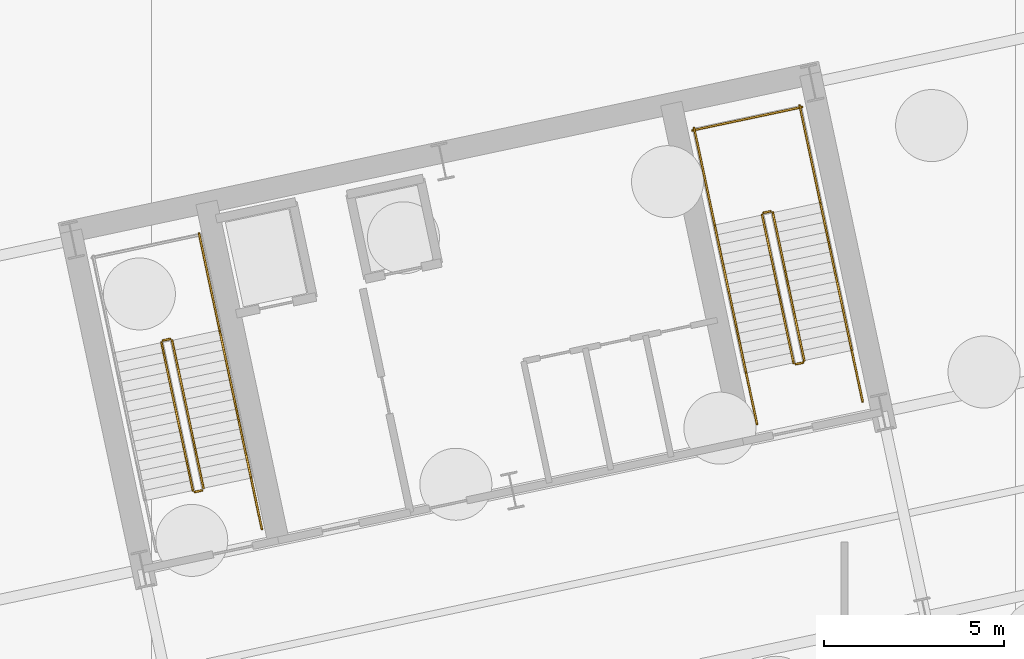
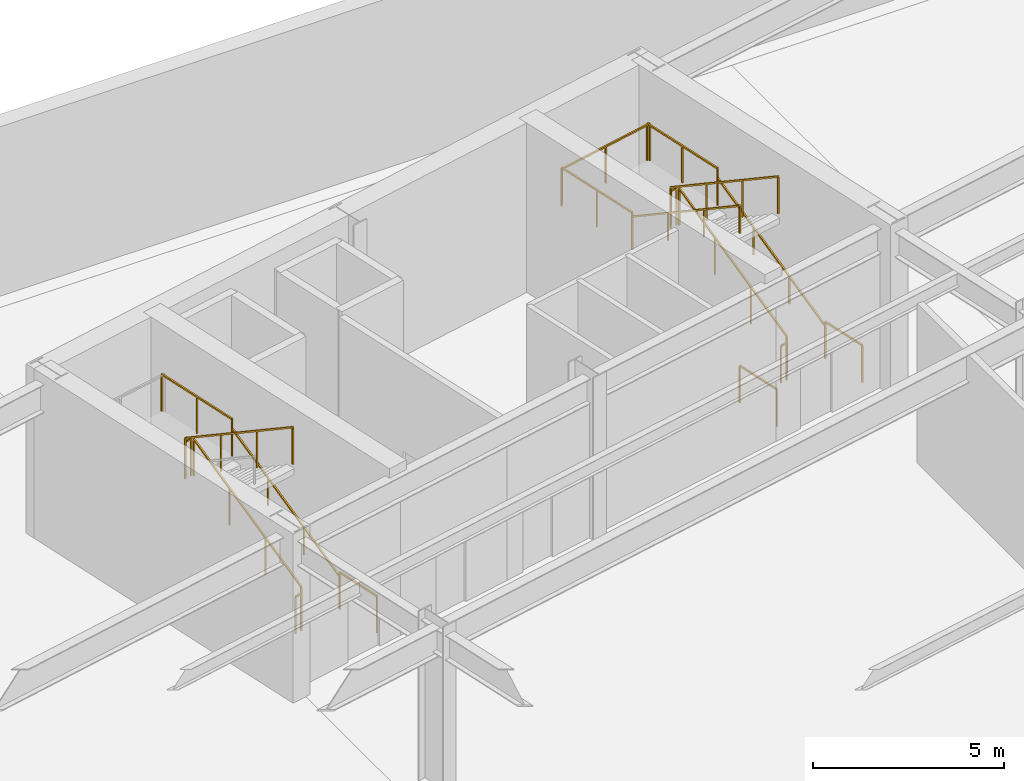
# One storey, part 14 of 15: 18 railings.
"""IFC4 building model written with IfcOpenShell, lengths in metres."""

from ifc_helpers import new_model, si_unit, direction, frame, origin, origin_2d, place, context, subcontext, project, spatial, rectangle, extrude, material, type_object, element, save


model = new_model("IFC4")

# Units and contexts
model_context = context("Model", 3, precision=1e-05, world=origin(), true_north=direction((0.0, 1.0)))
body_context = subcontext(model_context, "Body", "Model", "MODEL_VIEW")
ifc_project = project(units=[si_unit("LENGTHUNIT", "METRE"), si_unit("AREAUNIT", "SQUARE_METRE"), si_unit("VOLUMEUNIT", "CUBIC_METRE"), si_unit("PLANEANGLEUNIT", "RADIAN"), si_unit("MASSUNIT", "GRAM", prefix="KILO")], contexts=[model_context])

# Site, building, storey
site_placement = place(None, origin())
site = spatial("IfcSite", under=ifc_project, at=site_placement, CompositionType="ELEMENT")
building_placement = place(site_placement, origin())
building = spatial("IfcBuilding", under=site, at=building_placement, Name="Haevon Station Towers", CompositionType="ELEMENT")
storey_placement = place(building_placement, frame((0.0, 0.0, -10.800048828125)))
storey = spatial("IfcBuildingStorey", under=building, at=storey_placement, Name="B02", CompositionType="ELEMENT", Elevation=-10.800048828125)

# Railings
ifc_material = material(Name="Steel S355", Category="steel")
railing_type_1 = type_object("IfcRailingType", Name="GRD-STR1200", PredefinedType="GUARDRAIL", material=ifc_material)
railing_1_placement = place(storey_placement, frame((100.44140625, 39.69287109375, 0.168701171875)))
element("IfcRailing", 1, at=railing_1_placement, inside=storey, type_object=railing_type_1, Name="B02 ST3 Stair Guard 1", PredefinedType="GUARDRAIL", context=body_context, shape_type="SweptSolid", body=[
    extrude(rectangle(XDim=0.048095703125, YDim=0.048095703125, at=origin_2d()), frame((0.0, 0.0, 1.17578125), z_axis=(-0.1780862493, 0.837757147603, 0.516186254612), x_axis=(-0.978143927149, -0.207928972925, 0.0)), (0.0, 0.0, 1.0), 4.90380859375),
    extrude(rectangle(XDim=0.0419921875, YDim=0.0419921875, at=origin_2d()), origin(), (0.0, 0.0, 1.0), 1.15185546875),
    extrude(rectangle(XDim=0.0419921875, YDim=0.0419921875, at=origin_2d()), frame((-0.291015625, 1.369384765625, 0.84375)), (0.0, 0.0, 1.0), 1.15185546875),
    extrude(rectangle(XDim=0.0419921875, YDim=0.0419921875, at=origin_2d()), frame((-0.582275390625, 2.73876953125, 1.6875)), (0.0, 0.0, 1.0), 1.15185546875),
    extrude(rectangle(XDim=0.0419921875, YDim=0.0419921875, at=origin_2d()), frame((-0.873291015625, 4.108154296875, 2.53125)), (0.0, 0.0, 1.0), 1.15185546875),
])
railing_2_placement = place(storey_placement, frame((99.5087890625, 43.839599609375, 2.699951171875)))
element("IfcRailing", 2, at=railing_2_placement, inside=storey, type_object=railing_type_1, Name="B02 ST3 Stair Guard 2", PredefinedType="GUARDRAIL", context=body_context, shape_type="SweptSolid", body=[
    extrude(rectangle(XDim=0.048095703125, YDim=0.048095703125, at=origin_2d()), frame((0.0, 0.0, 1.17578125), z_axis=(-0.977962931203, -0.208778603291, 0.0), x_axis=(0.208778603291, -0.977962931203, 0.0)), (0.0, 0.0, 1.0), 0.199951171875),
    extrude(rectangle(XDim=0.0419921875, YDim=0.0419921875, at=origin_2d()), origin(), (0.0, 0.0, 1.0), 1.15185546875),
    extrude(rectangle(XDim=0.0419921875, YDim=0.0419921875, at=origin_2d()), frame((-0.195556640625, -0.041748046875, 0.0)), (0.0, 0.0, 1.0), 1.15185546875),
])
railing_3_placement = place(storey_placement, frame((100.888671875, 44.08154296875, 2.699951171875)))
element("IfcRailing", 3, at=railing_3_placement, inside=storey, type_object=railing_type_1, Name="B02 ST3 Stair Guard 3", PredefinedType="GUARDRAIL", context=body_context, shape_type="SweptSolid", body=[
    extrude(rectangle(XDim=0.048095703125, YDim=0.048095703125, at=origin_2d()), frame((0.0, 0.0, 1.17578125), z_axis=(-0.207916090984, 0.978146665439, 0.0), x_axis=(-0.978146665439, -0.207916090984, 0.0)), (0.0, 0.0, 1.0), 2.75),
    extrude(rectangle(XDim=0.0419921875, YDim=0.0419921875, at=origin_2d()), origin(), (0.0, 0.0, 1.0), 1.15185546875),
    extrude(rectangle(XDim=0.0419921875, YDim=0.0419921875, at=origin_2d()), frame((-0.285888671875, 1.344970703125, 0.0)), (0.0, 0.0, 1.0), 1.15185546875),
    extrude(rectangle(XDim=0.0419921875, YDim=0.0419921875, at=origin_2d()), frame((-0.57177734375, 2.68994140625, 0.0)), (0.0, 0.0, 1.0), 1.15185546875),
])
railing_4_placement = place(storey_placement, frame((99.274658203125, 43.738525390625, 2.868896484375)))
element("IfcRailing", 4, at=railing_4_placement, inside=storey, type_object=railing_type_1, Name="B02 ST3 Stair Guard 6", PredefinedType="GUARDRAIL", context=body_context, shape_type="SweptSolid", body=[
    extrude(rectangle(XDim=0.048095703125, YDim=0.048095703125, at=origin_2d()), frame((0.0, 0.0, 1.17578125), z_axis=(0.1780862493, -0.837757147603, 0.516186254612), x_axis=(0.978143927149, 0.207928972925, 0.0)), (0.0, 0.0, 1.0), 4.90380859375),
    extrude(rectangle(XDim=0.0419921875, YDim=0.0419921875, at=origin_2d()), origin(), (0.0, 0.0, 1.0), 1.15185546875),
    extrude(rectangle(XDim=0.0419921875, YDim=0.0419921875, at=origin_2d()), frame((0.291015625, -1.369384765625, 0.84375)), (0.0, 0.0, 1.0), 1.15185546875),
    extrude(rectangle(XDim=0.0419921875, YDim=0.0419921875, at=origin_2d()), frame((0.582275390625, -2.73876953125, 1.6875)), (0.0, 0.0, 1.0), 1.15185546875),
    extrude(rectangle(XDim=0.0419921875, YDim=0.0419921875, at=origin_2d()), frame((0.873291015625, -4.108154296875, 2.53125)), (0.0, 0.0, 1.0), 1.15185546875),
])
railing_5_placement = place(storey_placement, frame((100.40283203125, 39.633544921875, 0.0)))
element("IfcRailing", 5, at=railing_5_placement, inside=storey, type_object=railing_type_1, Name="B02 ST3 Stair Guard 7", PredefinedType="GUARDRAIL", context=body_context, shape_type="SweptSolid", body=[
    extrude(rectangle(XDim=0.048095703125, YDim=0.048095703125, at=origin_2d()), frame((0.0, 0.0, 1.17578125), z_axis=(-0.977962931203, -0.208778603291, 0.0), x_axis=(0.208778603291, -0.977962931203, 0.0)), (0.0, 0.0, 1.0), 0.199951171875),
    extrude(rectangle(XDim=0.0419921875, YDim=0.0419921875, at=origin_2d()), origin(), (0.0, 0.0, 1.0), 1.15185546875),
    extrude(rectangle(XDim=0.0419921875, YDim=0.0419921875, at=origin_2d()), frame((-0.195556640625, -0.041748046875, 0.0)), (0.0, 0.0, 1.0), 1.15185546875),
])
railing_6_placement = place(storey_placement, frame((102.0634765625, 38.55517578125, 0.0)))
element("IfcRailing", 6, at=railing_6_placement, inside=storey, type_object=railing_type_1, Name="B02 ST3 Stair Guard 8", PredefinedType="GUARDRAIL", context=body_context, shape_type="SweptSolid", body=[
    extrude(rectangle(XDim=0.048095703125, YDim=0.048095703125, at=origin_2d()), frame((0.0, 0.0, 1.17578125), z_axis=(-0.207953405961, 0.978138732977, 0.0), x_axis=(-0.978138732977, -0.207953405961, 0.0)), (0.0, 0.0, 1.0), 1.449951171875),
    extrude(rectangle(XDim=0.0419921875, YDim=0.0419921875, at=origin_2d()), origin(), (0.0, 0.0, 1.0), 1.15185546875),
    extrude(rectangle(XDim=0.0419921875, YDim=0.0419921875, at=origin_2d()), frame((-0.301513671875, 1.418212890625, 0.0)), (0.0, 0.0, 1.0), 1.15185546875),
])
railing_7_placement = place(storey_placement, frame((117.128662109375, 43.23974609375, 0.168701171875)))
element("IfcRailing", 7, at=railing_7_placement, inside=storey, type_object=railing_type_1, Name="B02 ST4 Stair Guard 1", PredefinedType="GUARDRAIL", context=body_context, shape_type="SweptSolid", body=[
    extrude(rectangle(XDim=0.048095703125, YDim=0.048095703125, at=origin_2d()), frame((0.0, 0.0, 1.17578125), z_axis=(-0.1780862493, 0.837757147603, 0.516186254612), x_axis=(-0.978143927149, -0.207928972925, 0.0)), (0.0, 0.0, 1.0), 4.90380859375),
    extrude(rectangle(XDim=0.0419921875, YDim=0.0419921875, at=origin_2d()), origin(), (0.0, 0.0, 1.0), 1.15185546875),
    extrude(rectangle(XDim=0.0419921875, YDim=0.0419921875, at=origin_2d()), frame((-0.291015625, 1.369384765625, 0.84375)), (0.0, 0.0, 1.0), 1.15185546875),
    extrude(rectangle(XDim=0.0419921875, YDim=0.0419921875, at=origin_2d()), frame((-0.582275390625, 2.73876953125, 1.6875)), (0.0, 0.0, 1.0), 1.15185546875),
    extrude(rectangle(XDim=0.0419921875, YDim=0.0419921875, at=origin_2d()), frame((-0.873291015625, 4.108154296875, 2.53125)), (0.0, 0.0, 1.0), 1.15185546875),
])
railing_8_placement = place(storey_placement, frame((116.196044921875, 47.386474609375, 2.699951171875)))
element("IfcRailing", 8, at=railing_8_placement, inside=storey, type_object=railing_type_1, Name="B02 ST4 Stair Guard 2", PredefinedType="GUARDRAIL", context=body_context, shape_type="SweptSolid", body=[
    extrude(rectangle(XDim=0.048095703125, YDim=0.048095703125, at=origin_2d()), frame((0.0, 0.0, 1.17578125), z_axis=(-0.978211583308, -0.207610448392, 0.0), x_axis=(0.207610448392, -0.978211583308, 0.0)), (0.0, 0.0, 1.0), 0.199951171875),
    extrude(rectangle(XDim=0.0419921875, YDim=0.0419921875, at=origin_2d()), origin(), (0.0, 0.0, 1.0), 1.15185546875),
    extrude(rectangle(XDim=0.0419921875, YDim=0.0419921875, at=origin_2d()), frame((-0.195556640625, -0.04150390625, 0.0)), (0.0, 0.0, 1.0), 1.15185546875),
])
for number, where, name in (
    (9, (117.575927734375, 47.628662109375, 2.699951171875), "B02 ST4 Stair Guard 3"),
    (10, (114.641357421875, 47.0048828125, 2.699951171875), "B02 ST4 Stair Guard 4"),
):
    element("IfcRailing", number, at=place(storey_placement, frame(where)), inside=storey, type_object=railing_type_1, Name=name, PredefinedType="GUARDRAIL", context=body_context, shape_type="SweptSolid", body=[
        extrude(rectangle(XDim=0.048095703125, YDim=0.048095703125, at=origin_2d()), frame((0.0, 0.0, 1.17578125), z_axis=(-0.207916090984, 0.978146665439, 0.0), x_axis=(-0.978146665439, -0.207916090984, 0.0)), (0.0, 0.0, 1.0), 2.75),
        extrude(rectangle(XDim=0.0419921875, YDim=0.0419921875, at=origin_2d()), origin(), (0.0, 0.0, 1.0), 1.15185546875),
        extrude(rectangle(XDim=0.0419921875, YDim=0.0419921875, at=origin_2d()), frame((-0.285888671875, 1.344970703125, 0.0)), (0.0, 0.0, 1.0), 1.15185546875),
        extrude(rectangle(XDim=0.0419921875, YDim=0.0419921875, at=origin_2d()), frame((-0.57177734375, 2.68994140625, 0.0)), (0.0, 0.0, 1.0), 1.15185546875),
    ])
railing_9_placement = place(storey_placement, frame((117.0634765625, 50.280029296875, 2.699951171875)))
element("IfcRailing", 11, at=railing_9_placement, inside=storey, type_object=railing_type_1, Name="B02 ST4 Stair Guard 5", PredefinedType="GUARDRAIL", context=body_context, shape_type="SweptSolid", body=[
    extrude(rectangle(XDim=0.048095703125, YDim=0.048095703125, at=origin_2d()), frame((0.0, 0.0, 1.17578125), z_axis=(-0.978146839882, -0.207915270313, 0.0), x_axis=(0.207915270313, -0.978146839882, 0.0)), (0.0, 0.0, 1.0), 3.099853515625),
    extrude(rectangle(XDim=0.0419921875, YDim=0.0419921875, at=origin_2d()), origin(), (0.0, 0.0, 1.0), 1.15185546875),
    extrude(rectangle(XDim=0.0419921875, YDim=0.0419921875, at=origin_2d()), frame((-1.51611328125, -0.322265625, 0.0)), (0.0, 0.0, 1.0), 1.15185546875),
    extrude(rectangle(XDim=0.0419921875, YDim=0.0419921875, at=origin_2d()), frame((-3.0322265625, -0.64453125, 0.0)), (0.0, 0.0, 1.0), 1.15185546875),
])
railing_10_placement = place(storey_placement, frame((115.9619140625, 47.28564453125, 2.868896484375)))
element("IfcRailing", 12, at=railing_10_placement, inside=storey, type_object=railing_type_1, Name="B02 ST4 Stair Guard 6", PredefinedType="GUARDRAIL", context=body_context, shape_type="SweptSolid", body=[
    extrude(rectangle(XDim=0.048095703125, YDim=0.048095703125, at=origin_2d()), frame((0.0, 0.0, 1.17578125), z_axis=(0.178078821748, -0.83777199116, 0.516164725716), x_axis=(0.978146440129, 0.207917150959, 0.0)), (0.0, 0.0, 1.0), 4.904052734375),
    extrude(rectangle(XDim=0.0419921875, YDim=0.0419921875, at=origin_2d()), origin(), (0.0, 0.0, 1.0), 1.15185546875),
    extrude(rectangle(XDim=0.0419921875, YDim=0.0419921875, at=origin_2d()), frame((0.291015625, -1.369384765625, 0.84375)), (0.0, 0.0, 1.0), 1.15185546875),
    extrude(rectangle(XDim=0.0419921875, YDim=0.0419921875, at=origin_2d()), frame((0.582275390625, -2.739013671875, 1.6875)), (0.0, 0.0, 1.0), 1.15185546875),
    extrude(rectangle(XDim=0.0419921875, YDim=0.0419921875, at=origin_2d()), frame((0.873291015625, -4.1083984375, 2.53125)), (0.0, 0.0, 1.0), 1.15185546875),
])
railing_11_placement = place(storey_placement, frame((117.090087890625, 43.180419921875, 0.0)))
element("IfcRailing", 13, at=railing_11_placement, inside=storey, type_object=railing_type_1, Name="B02 ST4 Stair Guard 7", PredefinedType="GUARDRAIL", context=body_context, shape_type="SweptSolid", body=[
    extrude(rectangle(XDim=0.048095703125, YDim=0.048095703125, at=origin_2d()), frame((0.0, 0.0, 1.17578125), z_axis=(-0.978211583308, -0.207610448392, 0.0), x_axis=(0.207610448392, -0.978211583308, 0.0)), (0.0, 0.0, 1.0), 0.199951171875),
    extrude(rectangle(XDim=0.0419921875, YDim=0.0419921875, at=origin_2d()), origin(), (0.0, 0.0, 1.0), 1.15185546875),
    extrude(rectangle(XDim=0.0419921875, YDim=0.0419921875, at=origin_2d()), frame((-0.195556640625, -0.04150390625, 0.0)), (0.0, 0.0, 1.0), 1.15185546875),
])
for number, where, name in (
    (14, (118.75048828125, 42.10205078125, 0.0), "B02 ST4 Stair Guard 8"),
    (15, (115.816162109375, 41.478271484375, 0.0), "B02 ST4 Stair Guard 9"),
):
    element("IfcRailing", number, at=place(storey_placement, frame(where)), inside=storey, type_object=railing_type_1, Name=name, PredefinedType="GUARDRAIL", context=body_context, shape_type="SweptSolid", body=[
        extrude(rectangle(XDim=0.048095703125, YDim=0.048095703125, at=origin_2d()), frame((0.0, 0.0, 1.17578125), z_axis=(-0.207919161079, 0.978146012851, 0.0), x_axis=(-0.978146012851, -0.207919161079, 0.0)), (0.0, 0.0, 1.0), 1.4501953125),
        extrude(rectangle(XDim=0.0419921875, YDim=0.0419921875, at=origin_2d()), origin(), (0.0, 0.0, 1.0), 1.15185546875),
        extrude(rectangle(XDim=0.0419921875, YDim=0.0419921875, at=origin_2d()), frame((-0.301513671875, 1.41845703125, 0.0)), (0.0, 0.0, 1.0), 1.15185546875),
    ])
railing_type_2 = type_object("IfcRailingType", Name="HND-STR900", PredefinedType="HANDRAIL", material=ifc_material)
railing_12_placement = place(storey_placement, frame((101.761962890625, 39.973388671875, 0.168701171875)))
element("IfcRailing", 16, at=railing_12_placement, inside=storey, type_object=railing_type_2, Name="B02 ST3 Stair Handrail 1", PredefinedType="HANDRAIL", context=body_context, shape_type="SweptSolid", body=[
    extrude(rectangle(XDim=0.048095703125, YDim=0.048095703125, at=origin_2d()), frame((0.0, 0.0, 0.8759765625), z_axis=(-0.1780862493, 0.837757147603, 0.516186254612), x_axis=(-0.978143927149, -0.207928972925, 0.0)), (0.0, 0.0, 1.0), 4.90380859375),
    extrude(rectangle(XDim=0.0419921875, YDim=0.0419921875, at=origin_2d()), origin(), (0.0, 0.0, 1.0), 0.851806640625),
    extrude(rectangle(XDim=0.0419921875, YDim=0.0419921875, at=origin_2d()), frame((-0.291015625, 1.369384765625, 0.84375)), (0.0, 0.0, 1.0), 0.851806640625),
    extrude(rectangle(XDim=0.0419921875, YDim=0.0419921875, at=origin_2d()), frame((-0.582275390625, 2.73876953125, 1.6875)), (0.0, 0.0, 1.0), 0.851806640625),
    extrude(rectangle(XDim=0.0419921875, YDim=0.0419921875, at=origin_2d()), frame((-0.873291015625, 4.108154296875, 2.53125)), (0.0, 0.0, 1.0), 0.851806640625),
])
railing_13_placement = place(storey_placement, frame((118.448974609375, 43.5205078125, 0.168701171875)))
element("IfcRailing", 17, at=railing_13_placement, inside=storey, type_object=railing_type_2, Name="B02 ST4 Stair Handrail 1", PredefinedType="HANDRAIL", context=body_context, shape_type="SweptSolid", body=[
    extrude(rectangle(XDim=0.048095703125, YDim=0.048095703125, at=origin_2d()), frame((0.0, 0.0, 0.8759765625), z_axis=(-0.17803804114, 0.83776457446, 0.516190830689), x_axis=(-0.978155748334, -0.207873355681, 0.0)), (0.0, 0.0, 1.0), 4.90380859375),
    extrude(rectangle(XDim=0.0419921875, YDim=0.0419921875, at=origin_2d()), origin(), (0.0, 0.0, 1.0), 0.851806640625),
    extrude(rectangle(XDim=0.0419921875, YDim=0.0419921875, at=origin_2d()), frame((-0.291015625, 1.369384765625, 0.84375)), (0.0, 0.0, 1.0), 0.851806640625),
    extrude(rectangle(XDim=0.0419921875, YDim=0.0419921875, at=origin_2d()), frame((-0.58203125, 2.73876953125, 1.6875)), (0.0, 0.0, 1.0), 0.851806640625),
    extrude(rectangle(XDim=0.0419921875, YDim=0.0419921875, at=origin_2d()), frame((-0.873046875, 4.108154296875, 2.53125)), (0.0, 0.0, 1.0), 0.851806640625),
])
railing_14_placement = place(storey_placement, frame((114.641357421875, 47.0048828125, 2.868896484375)))
element("IfcRailing", 18, at=railing_14_placement, inside=storey, type_object=railing_type_2, Name="B02 ST4 Stair Handrail 2", PredefinedType="HANDRAIL", context=body_context, shape_type="SweptSolid", body=[
    extrude(rectangle(XDim=0.048095703125, YDim=0.048095703125, at=origin_2d()), frame((0.0, 0.0, 0.8759765625), z_axis=(0.1780862493, -0.837757147603, 0.516186254612), x_axis=(0.978143927149, 0.207928972925, 0.0)), (0.0, 0.0, 1.0), 4.90380859375),
    extrude(rectangle(XDim=0.0419921875, YDim=0.0419921875, at=origin_2d()), origin(), (0.0, 0.0, 1.0), 0.851806640625),
    extrude(rectangle(XDim=0.0419921875, YDim=0.0419921875, at=origin_2d()), frame((0.291015625, -1.369384765625, 0.84375)), (0.0, 0.0, 1.0), 0.851806640625),
    extrude(rectangle(XDim=0.0419921875, YDim=0.0419921875, at=origin_2d()), frame((0.582275390625, -2.73876953125, 1.6875)), (0.0, 0.0, 1.0), 0.851806640625),
    extrude(rectangle(XDim=0.0419921875, YDim=0.0419921875, at=origin_2d()), frame((0.873291015625, -4.108154296875, 2.53125)), (0.0, 0.0, 1.0), 0.851806640625),
])

save(model, "model.ifc")
